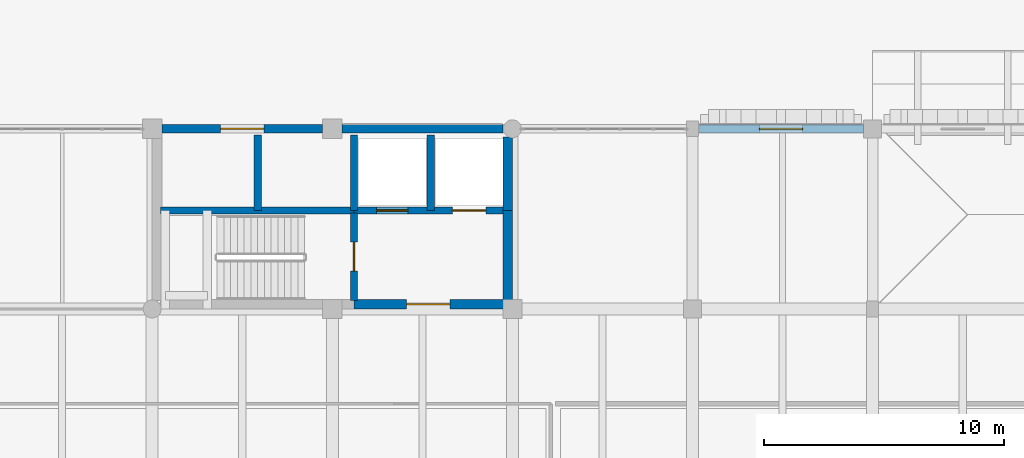
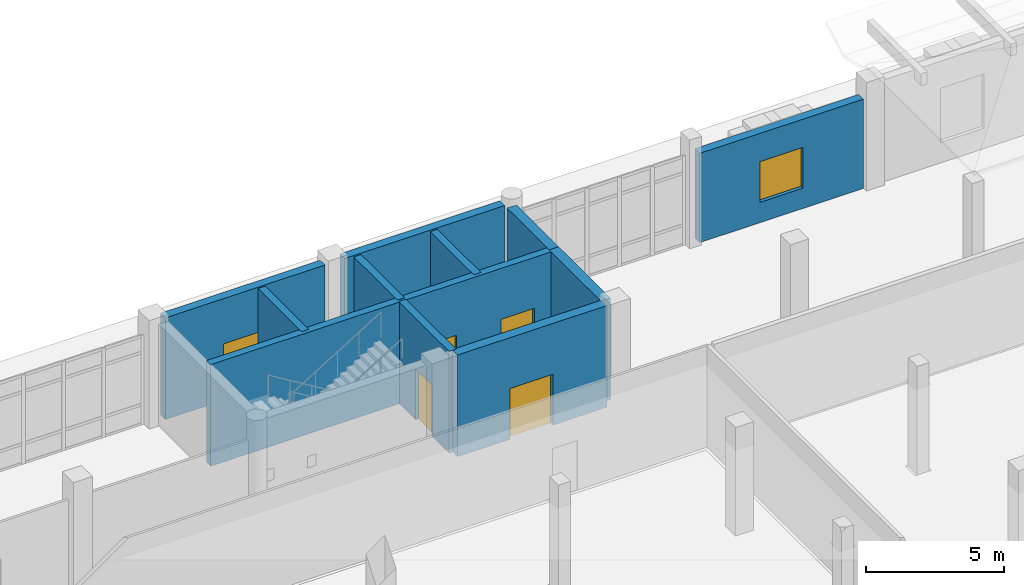
# One storey, part 96 of 125: 12 walls, 5 doors, 1 window, 6 openings.
"""IFC4 building model written with IfcOpenShell, lengths in metres."""

from ifc_helpers import new_model, si_unit, direction, frame, frame_2d, origin, place, context, subcontext, project, spatial, rectangle, extrude, material, layer, layer_set, type_object, element, fill, save


model = new_model("IFC4")

# Units and contexts
model_context = context("Model", 3, precision=1e-05, world=origin(), true_north=direction((0.0, 1.0)))
body_context = subcontext(model_context, "Body", "Model", "MODEL_VIEW")
ifc_project = project(units=[si_unit("LENGTHUNIT", "METRE"), si_unit("AREAUNIT", "SQUARE_METRE"), si_unit("VOLUMEUNIT", "CUBIC_METRE"), si_unit("PLANEANGLEUNIT", "RADIAN"), si_unit("MASSUNIT", "GRAM", prefix="KILO")], contexts=[model_context])

# Site, building, storey
site_placement = place(None, origin())
site = spatial("IfcSite", under=ifc_project, at=site_placement, CompositionType="ELEMENT")
building_placement = place(site_placement, origin())
building = spatial("IfcBuilding", under=site, at=building_placement, Name="Dalvernix Boulevard General Hospital", CompositionType="ELEMENT")
storey_placement = place(building_placement, origin())
storey = spatial("IfcBuildingStorey", under=building, at=storey_placement, Name="L00", CompositionType="ELEMENT", Elevation=0.0)

# Wall, opening, door
ifc_material_1 = material(Name="Concrete C40/50", Category="concrete")
ifc_layer_1 = layer(ifc_material_1, 0.39990234375)
ifc_layer_set_1 = layer_set([ifc_layer_1], Name="Concrete C40/50 (WAL-CSW-01)")
wall_type_1 = type_object("IfcWallType", Name="WAL-CSW-01", PredefinedType="SHEAR", material=ifc_layer_set_1)
wall_1_placement = place(storey_placement, frame((105.89990234375, 109.699951171875, 0.0), z_axis=(0.0, 0.0, 1.0), x_axis=(1.0, 0.0, 0.0)))
wall_1 = element("IfcWall", 1, at=wall_1_placement, inside=storey, type_object=wall_type_1, Name="L00 C4 south firefighting lobby wall", PredefinedType="SHEAR", context=body_context, shape_type="SweptSolid", body=[
    extrude(rectangle(XDim=6.25, YDim=0.39990234375, at=frame_2d((3.125, 0.0))), origin(), (0.0, 0.0, 1.0), 4.5),
])
opening_1_placement = place(wall_1_placement, frame((2.199951171875, 0.0, 0.0)))
opening_1 = element("IfcOpeningElement", 2, at=opening_1_placement, cuts=wall_1, Name="Opening FD-01", PredefinedType="OPENING", context=body_context, shape_type="SweptSolid", body=[
    extrude(rectangle(XDim=1.800048828125, YDim=2.25, at=frame_2d((0.89990234375, 1.125))), frame((0.0, 0.2099609375, 0.0), z_axis=(0.0, -1.0, 0.0), x_axis=(1.0, 0.0, 0.0)), (0.0, 0.0, 1.0), 0.419921875),
])
ifc_material_2 = material(Name="Hospital laminate acoustic timber and steel frame", Category="steel")
door_type_1 = type_object("IfcDoorType", Name="DR-FD-01", OperationType="DOUBLE_DOOR_SINGLE_SWING", PredefinedType="DOOR", material=ifc_material_2)
door_1_placement = place(opening_1_placement, origin())
door_1 = element("IfcDoor", 3, at=door_1_placement, inside=storey, type_object=door_type_1, Name="L00 C4 firefighting lobby door", OperationType="DOUBLE_DOOR_SINGLE_SWING", OverallHeight=2.25, OverallWidth=1.800048828125, PredefinedType="DOOR", context=body_context, shape_type="SweptSolid", body=[
    extrude(rectangle(XDim=1.800048828125, YDim=2.25, at=frame_2d((0.89990234375, 1.125))), frame((0.0, 0.02490234375, 0.0), z_axis=(0.0, -1.0, 0.0), x_axis=(1.0, 0.0, 0.0)), (0.0, 0.0, 1.0), 0.050048828125),
])
fill(opening_1, door_1)

# Walls
wall_2_placement = place(storey_placement, frame((112.300048828125, 109.85009765625, 0.0), z_axis=(0.0, 0.0, 1.0), x_axis=(0.0, 1.0, 0.0)))
element("IfcWall", 4, at=wall_2_placement, inside=storey, type_object=wall_type_1, Name="L00 C4 east lobby core wall", PredefinedType="SHEAR", context=body_context, shape_type="SweptSolid", body=[
    extrude(rectangle(XDim=3.75, YDim=0.39990234375, at=frame_2d((1.875, 0.0))), origin(), (0.0, 0.0, 1.0), 4.5),
])
wall_3_placement = place(storey_placement, frame((112.300048828125, 113.60009765625, 0.0), z_axis=(0.0, 0.0, 1.0), x_axis=(0.0, 1.0, 0.0)))
element("IfcWall", 5, at=wall_3_placement, inside=storey, type_object=wall_type_1, Name="L00 C4 east shaft core wall", PredefinedType="SHEAR", context=body_context, shape_type="SweptSolid", body=[
    extrude(rectangle(XDim=3.0498046875, YDim=0.39990234375, at=frame_2d((1.52490234375, 0.0))), origin(), (0.0, 0.0, 1.0), 4.5),
])
ifc_layer_2 = layer(ifc_material_1, 0.300048828125)
ifc_layer_set_2 = layer_set([ifc_layer_2], Name="Concrete C40/50 (WAL-CSW-02)")
wall_type_2 = type_object("IfcWallType", Name="WAL-CSW-02", PredefinedType="SHEAR", material=ifc_layer_set_2)
wall_4_placement = place(storey_placement, frame((97.85009765625, 113.60009765625, 0.0), z_axis=(0.0, 0.0, 1.0), x_axis=(1.0, 0.0, 0.0)))
element("IfcWall", 6, at=wall_4_placement, inside=storey, type_object=wall_type_2, Name="L00 C4 riser spine wall", PredefinedType="SHEAR", context=body_context, shape_type="SweptSolid", body=[
    extrude(rectangle(XDim=8.0498046875, YDim=0.300048828125, at=frame_2d((4.02490234375, 0.0))), origin(), (0.0, 0.0, 1.0), 4.5),
])

# Wall, openings, doors
wall_5_placement = place(storey_placement, frame((105.89990234375, 113.60009765625, 0.0), z_axis=(0.0, 0.0, 1.0), x_axis=(1.0, 0.0, 0.0)))
wall_5 = element("IfcWall", 7, at=wall_5_placement, inside=storey, type_object=wall_type_2, Name="L00 C4 lift shaft front wall", PredefinedType="SHEAR", context=body_context, shape_type="SweptSolid", body=[
    extrude(rectangle(XDim=6.25, YDim=0.300048828125, at=frame_2d((3.125, 0.0))), origin(), (0.0, 0.0, 1.0), 4.5),
])
opening_2_placement = place(wall_5_placement, frame((0.949951171875, 0.0, 0.0)))
opening_2 = element("IfcOpeningElement", 8, at=opening_2_placement, cuts=wall_5, Name="Opening LD-LF-03-L00", PredefinedType="OPENING", context=body_context, shape_type="SweptSolid", body=[
    extrude(rectangle(XDim=1.300048828125, YDim=2.199951171875, at=frame_2d((0.64990234375, 1.10009765625))), frame((0.0, 0.159912109375, 0.0), z_axis=(0.0, -1.0, 0.0), x_axis=(1.0, 0.0, 0.0)), (0.0, 0.0, 1.0), 0.320068359375),
])
opening_3_placement = place(wall_5_placement, frame((4.10009765625, 0.0, 0.0)))
opening_3 = element("IfcOpeningElement", 9, at=opening_3_placement, cuts=wall_5, Name="Opening LD-GL-01-L00", PredefinedType="OPENING", context=body_context, shape_type="SweptSolid", body=[
    extrude(rectangle(XDim=1.39990234375, YDim=2.25, at=frame_2d((0.699951171875, 1.125))), frame((0.0, 0.159912109375, 0.0), z_axis=(0.0, -1.0, 0.0), x_axis=(1.0, 0.0, 0.0)), (0.0, 0.0, 1.0), 0.320068359375),
])
ifc_material_3 = material(Name="Stainless-clad steel", Category="steel")
door_type_2 = type_object("IfcDoorType", Name="DR-LD-01", OperationType="DOUBLE_DOOR_SLIDING", PredefinedType="DOOR", material=ifc_material_3)
door_2_placement = place(opening_3_placement, origin())
door_2 = element("IfcDoor", 10, at=door_2_placement, inside=storey, type_object=door_type_2, Name="L00 Lift GL-01 sliding landing door", OperationType="DOUBLE_DOOR_SLIDING", OverallHeight=2.25, OverallWidth=1.39990234375, PredefinedType="DOOR", context=body_context, shape_type="SweptSolid", body=[
    extrude(rectangle(XDim=1.39990234375, YDim=2.25, at=frame_2d((0.699951171875, 1.125))), frame((0.0, 0.02490234375, 0.0), z_axis=(0.0, -1.0, 0.0), x_axis=(1.0, 0.0, 0.0)), (0.0, 0.0, 1.0), 0.050048828125),
])
fill(opening_3, door_2)
door_type_3 = type_object("IfcDoorType", Name="DR-LD-02", OperationType="DOUBLE_DOOR_SLIDING", PredefinedType="DOOR", material=ifc_material_3)
door_3_placement = place(opening_2_placement, origin())
door_3 = element("IfcDoor", 11, at=door_3_placement, inside=storey, type_object=door_type_3, Name="L00 Lift LF-03 sliding landing door", OperationType="DOUBLE_DOOR_SLIDING", OverallHeight=2.199951171875, OverallWidth=1.300048828125, PredefinedType="DOOR", context=body_context, shape_type="SweptSolid", body=[
    extrude(rectangle(XDim=1.300048828125, YDim=2.199951171875, at=frame_2d((0.64990234375, 1.10009765625))), frame((0.0, 0.02490234375, 0.0), z_axis=(0.0, -1.0, 0.0), x_axis=(1.0, 0.0, 0.0)), (0.0, 0.0, 1.0), 0.050048828125),
])
fill(opening_2, door_3)

# Wall, opening, door
wall_6_placement = place(storey_placement, frame((105.89990234375, 113.5, 0.0), z_axis=(0.0, 0.0, 1.0), x_axis=(0.0, -1.0, 0.0)))
wall_6 = element("IfcWall", 12, at=wall_6_placement, inside=storey, type_object=wall_type_2, Name="L00 C4 stairwell fire wall", PredefinedType="SHEAR", context=body_context, shape_type="SweptSolid", body=[
    extrude(rectangle(XDim=3.64990234375, YDim=0.300048828125, at=frame_2d((1.824951171875, 0.0))), origin(), (0.0, 0.0, 1.0), 4.5),
])
opening_4_placement = place(wall_6_placement, frame((1.219970703125, 0.0, 0.0)))
opening_4 = element("IfcOpeningElement", 13, at=opening_4_placement, cuts=wall_6, Name="Opening FD-02", PredefinedType="OPENING", context=body_context, shape_type="SweptSolid", body=[
    extrude(rectangle(XDim=1.199951171875, YDim=2.25, at=frame_2d((0.60009765625, 1.125))), frame((0.0, 0.159912109375, 0.0), z_axis=(0.0, -1.0, 0.0), x_axis=(1.0, 0.0, 0.0)), (0.0, 0.0, 1.0), 0.320068359375),
])
door_type_4 = type_object("IfcDoorType", Name="DR-FD-02", OperationType="NOTDEFINED", PredefinedType="DOOR", material=ifc_material_2)
door_4_placement = place(opening_4_placement, origin())
door_4 = element("IfcDoor", 14, at=door_4_placement, inside=storey, type_object=door_type_4, Name="L00 Stair ST-04 fire door", OperationType="SINGLE_SWING_RIGHT", OverallHeight=2.25, OverallWidth=1.199951171875, PredefinedType="DOOR", context=body_context, shape_type="SweptSolid", body=[
    extrude(rectangle(XDim=1.199951171875, YDim=2.25, at=frame_2d((0.60009765625, 1.125))), frame((0.0, 0.02490234375, 0.0), z_axis=(0.0, -1.0, 0.0), x_axis=(1.0, 0.0, 0.0)), (0.0, 0.0, 1.0), 0.050048828125),
])
fill(opening_4, door_4)

# Walls
for number, where, z_axis, x_axis, name in (
    (15, (101.89990234375, 113.60009765625, 0.0), (0.0, 0.0, 1.0), (0.0, 1.0, 0.0), "L00 C4 shaft divider R1"),
    (16, (105.89990234375, 113.60009765625, 0.0), (0.0, 0.0, 1.0), (0.0, 1.0, 0.0), "L00 C4 shaft divider R2"),
    (17, (109.10009765625, 113.60009765625, 0.0), (0.0, 0.0, 1.0), (0.0, 1.0, 0.0), "L00 C4 shaft divider L1"),
):
    element("IfcWall", number, at=place(storey_placement, frame(where, z_axis=z_axis, x_axis=x_axis)), inside=storey, type_object=wall_type_2, Name=name, PredefinedType="SHEAR", context=body_context, shape_type="SweptSolid", body=[
        extrude(rectangle(XDim=3.14990234375, YDim=0.300048828125, at=frame_2d((1.574951171875, 0.0))), origin(), (0.0, 0.0, 1.0), 4.5),
    ])

# Wall, opening, door
ifc_layer_3 = layer(ifc_material_1, 0.35009765625)
ifc_layer_set_3 = layer_set([ifc_layer_3], Name="Concrete C40/50 (WAL-ESW-01)")
wall_type_3 = type_object("IfcWallType", Name="WAL-ESW-01", PredefinedType="SHEAR", material=ifc_layer_set_3)
wall_7_placement = place(storey_placement, frame((97.909912109375, 117.0, 0.0), z_axis=(0.0, 0.0, 1.0), x_axis=(1.0, 0.0, 0.0)))
wall_7 = element("IfcWall", 18, at=wall_7_placement, inside=storey, type_object=wall_type_3, Name="L00 core perimeter shear wall N 13-15", PredefinedType="SHEAR", context=body_context, shape_type="SweptSolid", body=[
    extrude(rectangle(XDim=6.68017578125, YDim=0.35009765625, at=frame_2d((3.340087890625, 0.0))), origin(), (0.0, 0.0, 1.0), 4.5),
])
opening_5_placement = place(wall_7_placement, frame((2.43994140625, 0.0, 0.0)))
opening_5 = element("IfcOpeningElement", 19, at=opening_5_placement, cuts=wall_7, Name="Opening ED-18", PredefinedType="OPENING", context=body_context, shape_type="SweptSolid", body=[
    extrude(rectangle(XDim=1.800048828125, YDim=2.5, at=frame_2d((0.89990234375, 1.25))), frame((0.0, 0.18505859375, 0.0), z_axis=(0.0, -1.0, 0.0), x_axis=(1.0, 0.0, 0.0)), (0.0, 0.0, 1.0), 0.3701171875),
])
ifc_material_4 = material(Name="Galvanized painted steel", Category="steel")
door_type_5 = type_object("IfcDoorType", Name="DR-ED-18", OperationType="DOUBLE_DOOR_SINGLE_SWING", PredefinedType="DOOR", material=ifc_material_4)
door_5_placement = place(opening_5_placement, origin())
door_5 = element("IfcDoor", 20, at=door_5_placement, inside=storey, type_object=door_type_5, Name="Final Exit Door ED-L00-04 (Core C4)", OperationType="DOUBLE_DOOR_SINGLE_SWING", OverallHeight=2.5, OverallWidth=1.800048828125, PredefinedType="DOOR", context=body_context, shape_type="SweptSolid", body=[
    extrude(rectangle(XDim=1.800048828125, YDim=2.5, at=frame_2d((0.89990234375, 1.25))), frame((0.0, 0.02490234375, 0.0), z_axis=(0.0, -1.0, 0.0), x_axis=(1.0, 0.0, 0.0)), (0.0, 0.0, 1.0), 0.050048828125),
])
fill(opening_5, door_5)

# Wall
wall_8_placement = place(storey_placement, frame((105.409912109375, 117.0, 0.0), z_axis=(0.0, 0.0, 1.0), x_axis=(1.0, 0.0, 0.0)))
element("IfcWall", 21, at=wall_8_placement, inside=storey, type_object=wall_type_3, Name="L00 core perimeter shear wall N 14-15", PredefinedType="SHEAR", context=body_context, shape_type="SweptSolid", body=[
    extrude(rectangle(XDim=6.705078125, YDim=0.35009765625, at=frame_2d((3.3525390625, 0.0))), origin(), (0.0, 0.0, 1.0), 4.5),
])

# Wall, opening, window
ifc_material_5 = material(Name="Pressed Catalan clay brick and insulated concrete cavity wall C35/45", Category="masonry")
ifc_layer_4 = layer(ifc_material_5, 0.35009765625)
ifc_layer_set_4 = layer_set([ifc_layer_4], Name="Pressed Catalan clay brick and insulated concrete cavity wall C35/45 (WAL-EW-01)")
wall_type_4 = type_object("IfcWallType", Name="WAL-EW-01", PredefinedType="STANDARD", material=ifc_layer_set_4)
wall_9_placement = place(storey_placement, frame((120.260009765625, 117.0, 0.0), z_axis=(0.0, 0.0, 1.0), x_axis=(1.0, 0.0, 0.0)))
wall_9 = element("IfcWall", 22, at=wall_9_placement, inside=storey, type_object=wall_type_4, Name="L00 Catalan brick external wall N 16-15", PredefinedType="STANDARD", context=body_context, shape_type="SweptSolid", body=[
    extrude(rectangle(XDim=6.85498046875, YDim=0.35009765625, at=frame_2d((3.427490234375, 0.0))), origin(), (0.0, 0.0, 1.0), 3.949951171875),
])
opening_6_placement = place(wall_9_placement, frame((2.527587890625, 0.0, 0.89990234375)))
opening_6 = element("IfcOpeningElement", 23, at=opening_6_placement, cuts=wall_9, Name="Opening WN-16", PredefinedType="OPENING", context=body_context, shape_type="SweptSolid", body=[
    extrude(rectangle(XDim=1.800048828125, YDim=1.800048828125, at=frame_2d((0.89990234375, 0.89990234375))), frame((0.0, 0.18505859375, 0.0), z_axis=(0.0, -1.0, 0.0), x_axis=(1.0, 0.0, 0.0)), (0.0, 0.0, 1.0), 0.3701171875),
])
ifc_material_6 = material(Name="Thermally broken aluminium frame with solar-control double glazing", Category="aluminium")
window_type = type_object("IfcWindowType", Name="WIN-WN-16", PartitioningType="SINGLE_PANEL", PredefinedType="WINDOW", material=ifc_material_6)
window_placement = place(opening_6_placement, origin())
window = element("IfcWindow", 24, at=window_placement, inside=storey, type_object=window_type, Name="L00 clinical window WN-16 N 16-15", OverallHeight=1.800048828125, OverallWidth=1.800048828125, PartitioningType="SINGLE_PANEL", PredefinedType="WINDOW", context=body_context, shape_type="SweptSolid", body=[
    extrude(rectangle(XDim=1.800048828125, YDim=1.800048828125, at=frame_2d((0.89990234375, 0.89990234375))), frame((0.0, 0.030029296875, 0.0), z_axis=(0.0, -1.0, 0.0), x_axis=(1.0, 0.0, 0.0)), (0.0, 0.0, 1.0), 0.06005859375),
])
fill(opening_6, window)

save(model, "model.ifc")
